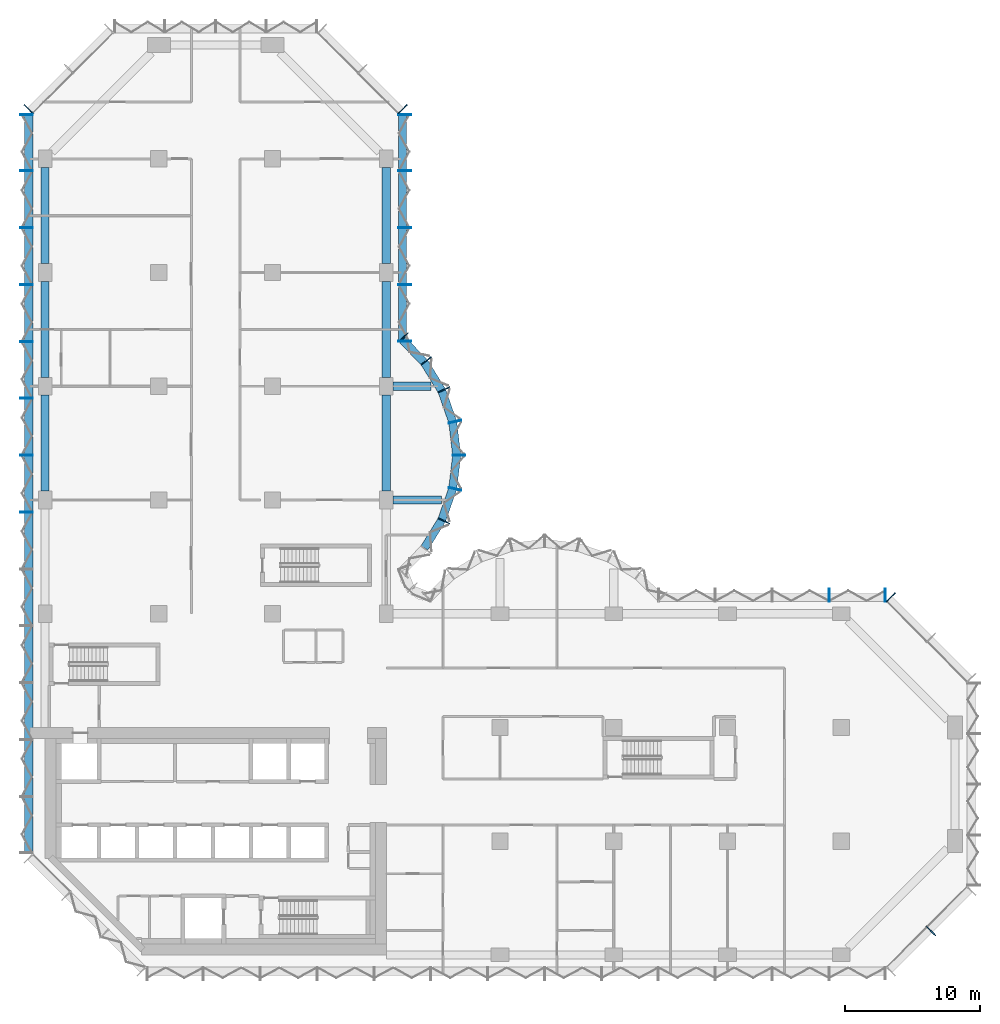
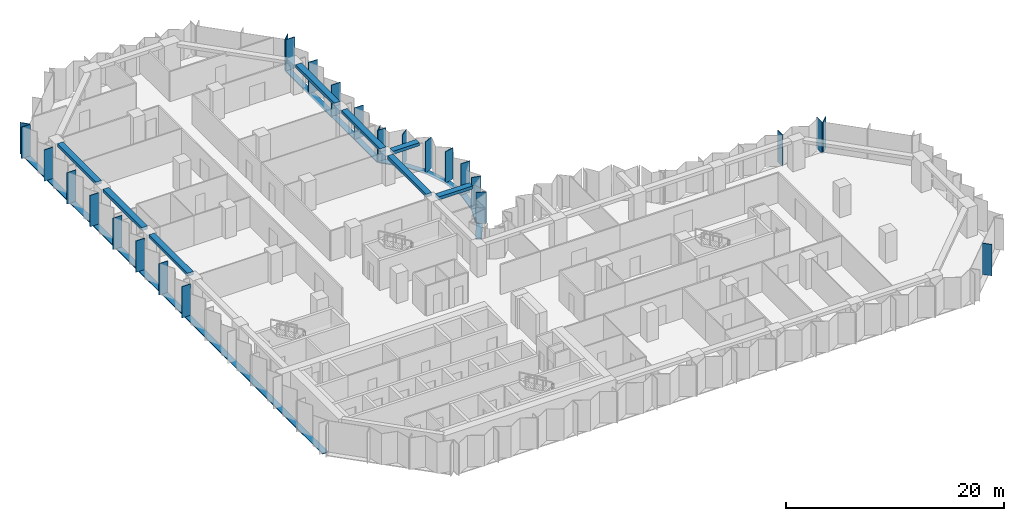
# One storey, part 3 of 13: 35 members, 8 beams, 8 elements without a shape of their own.
"""IFC4 building model written with IfcOpenShell, lengths in metres."""

from ifc_helpers import new_model, si_unit, direction, frame, origin, origin_2d, place, context, subcontext, project, spatial, rectangle, extrude, material, material_profile, profile_set, type_object, element, aggregate, save


model = new_model("IFC4")

# Units and contexts
model_context = context("Model", 3, precision=1e-05, world=origin(), true_north=direction((0.0, 1.0)))
body_context = subcontext(model_context, "Body", "Model", "MODEL_VIEW")
ifc_project = project(units=[si_unit("LENGTHUNIT", "METRE"), si_unit("AREAUNIT", "SQUARE_METRE"), si_unit("VOLUMEUNIT", "CUBIC_METRE"), si_unit("PLANEANGLEUNIT", "RADIAN"), si_unit("MASSUNIT", "GRAM", prefix="KILO")], contexts=[model_context])

# Site, building, storey
site_placement = place(None, origin())
site = spatial("IfcSite", under=ifc_project, at=site_placement, CompositionType="ELEMENT")
building_placement = place(site_placement, origin())
building = spatial("IfcBuilding", under=site, at=building_placement, Name="Brevane Broadcast Tower", CompositionType="ELEMENT")
storey_placement = place(building_placement, frame((0.0, 0.0, 102.5)))
storey = spatial("IfcBuildingStorey", under=building, at=storey_placement, Name="L24", CompositionType="ELEMENT", Elevation=102.5)

# Curtain wall, member
ifc_material_1 = material(Name="Aluminium 6063-T6 bronze anodised", Category="aluminium")
curtain_wall_type = type_object("IfcCurtainWallType", Name="CW-1 curtain wall", PredefinedType="NOTDEFINED", material=ifc_material_1)
curtain_wall_1_placement = place(storey_placement, origin())
curtain_wall_1 = element("IfcCurtainWall", 1, at=curtain_wall_1_placement, inside=storey, type_object=curtain_wall_type, Name="CW-1 typical tilted unit L24 south-east chamfer", PredefinedType="NOTDEFINED")
ifc_material_profile_1 = material_profile(ifc_material_1, rectangle(XDim=0.949951171875, YDim=0.070068359375, at=origin_2d()), Name="RECT 70x950")
ifc_profile_set_1 = profile_set([ifc_material_profile_1], Name="Aluminium 6063-T6 bronze anodised")
member_type_1 = type_object("IfcMemberType", Name="CW-1 mullion 70x950", PredefinedType="MULLION", material=ifc_profile_set_1)
member_1_placement = place(storey_placement, frame((65.435791015625, 1.76416015625, -0.14990234375), z_axis=(0.0, 0.0, 1.0), x_axis=(-0.707106781187, 0.707106781187, 0.0)))
member_1 = element("IfcMember", 2, at=member_1_placement, type_object=member_type_1, Name="CW-1 mullion", PredefinedType="MULLION", context=body_context, shape_type="SweptSolid", body=[
    extrude(rectangle(XDim=0.949951171875, YDim=0.070068359375, at=origin_2d()), origin(), (0.0, 0.0, 1.0), 3.5),
])
aggregate(curtain_wall_1, [member_1])

curtain_wall_2_placement = place(storey_placement, origin())
curtain_wall_2 = element("IfcCurtainWall", 3, at=curtain_wall_2_placement, inside=storey, type_object=curtain_wall_type, Name="CW-1 typical tilted unit L24 north-east chamfer", PredefinedType="NOTDEFINED")
member_2_placement = place(storey_placement, frame((62.460693359375, 26.4111328125, -0.14990234375), z_axis=(0.0, 0.0, 1.0), x_axis=(-0.707106781187, -0.707106781187, 0.0)))
member_2 = element("IfcMember", 4, at=member_2_placement, type_object=member_type_1, Name="CW-1 mullion", PredefinedType="MULLION", context=body_context, shape_type="SweptSolid", body=[
    extrude(rectangle(XDim=0.949951171875, YDim=0.070068359375, at=origin_2d()), origin(), (0.0, 0.0, 1.0), 3.5),
])
aggregate(curtain_wall_2, [member_2])

# Curtain wall, members
curtain_wall_3_placement = place(storey_placement, origin())
curtain_wall_3 = element("IfcCurtainWall", 5, at=curtain_wall_3_placement, inside=storey, type_object=curtain_wall_type, Name="CW-1 typical tilted unit L24 east arm north face", PredefinedType="NOTDEFINED")
member_3_placement = place(storey_placement, frame((62.06494140625, 26.574951171875, -0.14990234375), z_axis=(0.0, 0.0, 1.0), x_axis=(0.0, -1.0, 0.0)))
member_3 = element("IfcMember", 6, at=member_3_placement, type_object=member_type_1, Name="CW-1 mullion", PredefinedType="MULLION", context=body_context, shape_type="SweptSolid", body=[
    extrude(rectangle(XDim=0.949951171875, YDim=0.070068359375, at=origin_2d()), origin(), (0.0, 0.0, 1.0), 3.5),
])
member_4_placement = place(storey_placement, frame((57.89990234375, 26.574951171875, -0.14990234375), z_axis=(0.0, 0.0, 1.0), x_axis=(0.0, -1.0, 0.0)))
member_4 = element("IfcMember", 7, at=member_4_placement, type_object=member_type_1, Name="CW-1 mullion", PredefinedType="MULLION", context=body_context, shape_type="SweptSolid", body=[
    extrude(rectangle(XDim=0.949951171875, YDim=0.070068359375, at=origin_2d()), origin(), (0.0, 0.0, 1.0), 3.5),
])
aggregate(curtain_wall_3, [member_3, member_4])

curtain_wall_4_placement = place(storey_placement, origin())
curtain_wall_4 = element("IfcCurtainWall", 8, at=curtain_wall_4_placement, inside=storey, type_object=curtain_wall_type, Name="CW-1 typical tilted unit L24 north bow", PredefinedType="NOTDEFINED")
member_5_placement = place(storey_placement, frame((29.4580078125, 32.05322265625, -0.14990234375), z_axis=(0.0, 0.0, 1.0), x_axis=(-0.902860508933, 0.429933601163, 0.0)))
member_5 = element("IfcMember", 9, at=member_5_placement, type_object=member_type_1, Name="CW-1 mullion", PredefinedType="MULLION", context=body_context, shape_type="SweptSolid", body=[
    extrude(rectangle(XDim=0.949951171875, YDim=0.070068359375, at=origin_2d()), origin(), (0.0, 0.0, 1.0), 3.5),
])
member_6_placement = place(storey_placement, frame((30.28076171875, 34.411865234375, -0.14990234375), z_axis=(0.0, 0.0, 1.0), x_axis=(-0.974403430594, 0.224806482215, 0.0)))
member_6 = element("IfcMember", 10, at=member_6_placement, type_object=member_type_1, Name="CW-1 mullion", PredefinedType="MULLION", context=body_context, shape_type="SweptSolid", body=[
    extrude(rectangle(XDim=0.949951171875, YDim=0.070068359375, at=origin_2d()), origin(), (0.0, 0.0, 1.0), 3.5),
])
member_7_placement = place(storey_placement, frame((30.574951171875, 36.89990234375, -0.14990234375), z_axis=(0.0, 0.0, 1.0), x_axis=(-1.0, 0.0, 0.0)))
member_7 = element("IfcMember", 11, at=member_7_placement, type_object=member_type_1, Name="CW-1 mullion", PredefinedType="MULLION", context=body_context, shape_type="SweptSolid", body=[
    extrude(rectangle(XDim=0.949951171875, YDim=0.070068359375, at=origin_2d()), origin(), (0.0, 0.0, 1.0), 3.5),
])
member_8_placement = place(storey_placement, frame((30.28076171875, 39.38818359375, -0.14990234375), z_axis=(0.0, 0.0, 1.0), x_axis=(-0.974403430594, -0.224806482215, 0.0)))
member_8 = element("IfcMember", 12, at=member_8_placement, type_object=member_type_1, Name="CW-1 mullion", PredefinedType="MULLION", context=body_context, shape_type="SweptSolid", body=[
    extrude(rectangle(XDim=0.949951171875, YDim=0.070068359375, at=origin_2d()), origin(), (0.0, 0.0, 1.0), 3.5),
])
member_9_placement = place(storey_placement, frame((29.4580078125, 41.746826171875, -0.14990234375), z_axis=(0.0, 0.0, 1.0), x_axis=(-0.902860508933, -0.429933601163, 0.0)))
member_9 = element("IfcMember", 13, at=member_9_placement, type_object=member_type_1, Name="CW-1 mullion", PredefinedType="MULLION", context=body_context, shape_type="SweptSolid", body=[
    extrude(rectangle(XDim=0.949951171875, YDim=0.070068359375, at=origin_2d()), origin(), (0.0, 0.0, 1.0), 3.5),
])
member_10_placement = place(storey_placement, frame((28.1455078125, 43.8720703125, -0.14990234375), z_axis=(0.0, 0.0, 1.0), x_axis=(-0.788706642853, -0.614769738617, 0.0)))
member_10 = element("IfcMember", 14, at=member_10_placement, type_object=member_type_1, Name="CW-1 mullion", PredefinedType="MULLION", context=body_context, shape_type="SweptSolid", body=[
    extrude(rectangle(XDim=0.949951171875, YDim=0.070068359375, at=origin_2d()), origin(), (0.0, 0.0, 1.0), 3.5),
])
member_11_placement = place(storey_placement, frame((26.465087890625, 45.60595703125, -0.14990234375), z_axis=(0.0, 0.0, 1.0), x_axis=(-0.717253872699, -0.696811941702, 0.0)))
member_11 = element("IfcMember", 15, at=member_11_placement, type_object=member_type_1, Name="CW-1 mullion", PredefinedType="MULLION", context=body_context, shape_type="SweptSolid", body=[
    extrude(rectangle(XDim=0.949951171875, YDim=0.070068359375, at=origin_2d()), origin(), (0.0, 0.0, 1.0), 3.5),
])

curtain_wall_5_placement = place(storey_placement, origin())
curtain_wall_5 = element("IfcCurtainWall", 16, at=curtain_wall_5_placement, inside=storey, type_object=curtain_wall_type, Name="CW-1 typical tilted unit L24 north arm east face", PredefinedType="NOTDEFINED")
member_12_placement = place(storey_placement, frame((26.574951171875, 45.3349609375, -0.14990234375), z_axis=(0.0, 0.0, 1.0), x_axis=(-1.0, 0.0, 0.0)))
member_12 = element("IfcMember", 17, at=member_12_placement, type_object=member_type_1, Name="CW-1 mullion", PredefinedType="MULLION", context=body_context, shape_type="SweptSolid", body=[
    extrude(rectangle(XDim=0.949951171875, YDim=0.070068359375, at=origin_2d()), origin(), (0.0, 0.0, 1.0), 3.5),
])
member_13_placement = place(storey_placement, frame((26.574951171875, 49.5, -0.14990234375), z_axis=(0.0, 0.0, 1.0), x_axis=(-1.0, 0.0, 0.0)))
member_13 = element("IfcMember", 18, at=member_13_placement, type_object=member_type_1, Name="CW-1 mullion", PredefinedType="MULLION", context=body_context, shape_type="SweptSolid", body=[
    extrude(rectangle(XDim=0.949951171875, YDim=0.070068359375, at=origin_2d()), origin(), (0.0, 0.0, 1.0), 3.5),
])
member_14_placement = place(storey_placement, frame((26.574951171875, 53.699951171875, -0.14990234375), z_axis=(0.0, 0.0, 1.0), x_axis=(-1.0, 0.0, 0.0)))
member_14 = element("IfcMember", 19, at=member_14_placement, type_object=member_type_1, Name="CW-1 mullion", PredefinedType="MULLION", context=body_context, shape_type="SweptSolid", body=[
    extrude(rectangle(XDim=0.949951171875, YDim=0.070068359375, at=origin_2d()), origin(), (0.0, 0.0, 1.0), 3.5),
])
member_15_placement = place(storey_placement, frame((26.574951171875, 57.89990234375, -0.14990234375), z_axis=(0.0, 0.0, 1.0), x_axis=(-1.0, 0.0, 0.0)))
member_15 = element("IfcMember", 20, at=member_15_placement, type_object=member_type_1, Name="CW-1 mullion", PredefinedType="MULLION", context=body_context, shape_type="SweptSolid", body=[
    extrude(rectangle(XDim=0.949951171875, YDim=0.070068359375, at=origin_2d()), origin(), (0.0, 0.0, 1.0), 3.5),
])
member_16_placement = place(storey_placement, frame((26.574951171875, 62.06494140625, -0.14990234375), z_axis=(0.0, 0.0, 1.0), x_axis=(-1.0, 0.0, 0.0)))
member_16 = element("IfcMember", 21, at=member_16_placement, type_object=member_type_1, Name="CW-1 mullion", PredefinedType="MULLION", context=body_context, shape_type="SweptSolid", body=[
    extrude(rectangle(XDim=0.949951171875, YDim=0.070068359375, at=origin_2d()), origin(), (0.0, 0.0, 1.0), 3.5),
])

# Curtain wall, member
curtain_wall_6_placement = place(storey_placement, origin())
curtain_wall_6 = element("IfcCurtainWall", 22, at=curtain_wall_6_placement, inside=storey, type_object=curtain_wall_type, Name="CW-1 typical tilted unit L24 north arm north-east chamfer", PredefinedType="NOTDEFINED")
member_17_placement = place(storey_placement, frame((26.4111328125, 62.460693359375, -0.14990234375), z_axis=(0.0, 0.0, 1.0), x_axis=(-0.707106781187, -0.707106781187, 0.0)))
member_17 = element("IfcMember", 23, at=member_17_placement, type_object=member_type_1, Name="CW-1 mullion", PredefinedType="MULLION", context=body_context, shape_type="SweptSolid", body=[
    extrude(rectangle(XDim=0.949951171875, YDim=0.070068359375, at=origin_2d()), origin(), (0.0, 0.0, 1.0), 3.5),
])
aggregate(curtain_wall_6, [member_17])

curtain_wall_7_placement = place(storey_placement, origin())
curtain_wall_7 = element("IfcCurtainWall", 24, at=curtain_wall_7_placement, inside=storey, type_object=curtain_wall_type, Name="CW-1 typical tilted unit L24 north-west chamfer", PredefinedType="NOTDEFINED")
member_18_placement = place(storey_placement, frame((-1.211181640625, 62.460693359375, -0.14990234375), z_axis=(0.0, 0.0, 1.0), x_axis=(0.707106781187, -0.707106781187, 0.0)))
member_18 = element("IfcMember", 25, at=member_18_placement, type_object=member_type_1, Name="CW-1 mullion", PredefinedType="MULLION", context=body_context, shape_type="SweptSolid", body=[
    extrude(rectangle(XDim=0.949951171875, YDim=0.070068359375, at=origin_2d()), origin(), (0.0, 0.0, 1.0), 3.5),
])
aggregate(curtain_wall_7, [member_18])

# Curtain wall, members
curtain_wall_8_placement = place(storey_placement, origin())
curtain_wall_8 = element("IfcCurtainWall", 26, at=curtain_wall_8_placement, inside=storey, type_object=curtain_wall_type, Name="CW-1 typical tilted unit L24 west face", PredefinedType="NOTDEFINED")
member_19_placement = place(storey_placement, frame((-1.375, 62.06494140625, -0.14990234375), z_axis=(0.0, 0.0, 1.0), x_axis=(1.0, 0.0, 0.0)))
member_19 = element("IfcMember", 27, at=member_19_placement, type_object=member_type_1, Name="CW-1 mullion", PredefinedType="MULLION", context=body_context, shape_type="SweptSolid", body=[
    extrude(rectangle(XDim=0.949951171875, YDim=0.070068359375, at=origin_2d()), origin(), (0.0, 0.0, 1.0), 3.5),
])
member_20_placement = place(storey_placement, frame((-1.375, 57.89990234375, -0.14990234375), z_axis=(0.0, 0.0, 1.0), x_axis=(1.0, 0.0, 0.0)))
member_20 = element("IfcMember", 28, at=member_20_placement, type_object=member_type_1, Name="CW-1 mullion", PredefinedType="MULLION", context=body_context, shape_type="SweptSolid", body=[
    extrude(rectangle(XDim=0.949951171875, YDim=0.070068359375, at=origin_2d()), origin(), (0.0, 0.0, 1.0), 3.5),
])
member_21_placement = place(storey_placement, frame((-1.375, 53.699951171875, -0.14990234375), z_axis=(0.0, 0.0, 1.0), x_axis=(1.0, 0.0, 0.0)))
member_21 = element("IfcMember", 29, at=member_21_placement, type_object=member_type_1, Name="CW-1 mullion", PredefinedType="MULLION", context=body_context, shape_type="SweptSolid", body=[
    extrude(rectangle(XDim=0.949951171875, YDim=0.070068359375, at=origin_2d()), origin(), (0.0, 0.0, 1.0), 3.5),
])
member_22_placement = place(storey_placement, frame((-1.375, 49.5, -0.14990234375), z_axis=(0.0, 0.0, 1.0), x_axis=(1.0, 0.0, 0.0)))
member_22 = element("IfcMember", 30, at=member_22_placement, type_object=member_type_1, Name="CW-1 mullion", PredefinedType="MULLION", context=body_context, shape_type="SweptSolid", body=[
    extrude(rectangle(XDim=0.949951171875, YDim=0.070068359375, at=origin_2d()), origin(), (0.0, 0.0, 1.0), 3.5),
])
member_23_placement = place(storey_placement, frame((-1.375, 45.300048828125, -0.14990234375), z_axis=(0.0, 0.0, 1.0), x_axis=(1.0, 0.0, 0.0)))
member_23 = element("IfcMember", 31, at=member_23_placement, type_object=member_type_1, Name="CW-1 mullion", PredefinedType="MULLION", context=body_context, shape_type="SweptSolid", body=[
    extrude(rectangle(XDim=0.949951171875, YDim=0.070068359375, at=origin_2d()), origin(), (0.0, 0.0, 1.0), 3.5),
])
member_24_placement = place(storey_placement, frame((-1.375, 41.10009765625, -0.14990234375), z_axis=(0.0, 0.0, 1.0), x_axis=(1.0, 0.0, 0.0)))
member_24 = element("IfcMember", 32, at=member_24_placement, type_object=member_type_1, Name="CW-1 mullion", PredefinedType="MULLION", context=body_context, shape_type="SweptSolid", body=[
    extrude(rectangle(XDim=0.949951171875, YDim=0.070068359375, at=origin_2d()), origin(), (0.0, 0.0, 1.0), 3.5),
])
member_25_placement = place(storey_placement, frame((-1.375, 36.89990234375, -0.14990234375), z_axis=(0.0, 0.0, 1.0), x_axis=(1.0, 0.0, 0.0)))
member_25 = element("IfcMember", 33, at=member_25_placement, type_object=member_type_1, Name="CW-1 mullion", PredefinedType="MULLION", context=body_context, shape_type="SweptSolid", body=[
    extrude(rectangle(XDim=0.949951171875, YDim=0.070068359375, at=origin_2d()), origin(), (0.0, 0.0, 1.0), 3.5),
])
member_26_placement = place(storey_placement, frame((-1.375, 32.699951171875, -0.14990234375), z_axis=(0.0, 0.0, 1.0), x_axis=(1.0, 0.0, 0.0)))
member_26 = element("IfcMember", 34, at=member_26_placement, type_object=member_type_1, Name="CW-1 mullion", PredefinedType="MULLION", context=body_context, shape_type="SweptSolid", body=[
    extrude(rectangle(XDim=0.949951171875, YDim=0.070068359375, at=origin_2d()), origin(), (0.0, 0.0, 1.0), 3.5),
])

# Member
ifc_material_profile_2 = material_profile(ifc_material_1, rectangle(XDim=0.60009765625, YDim=0.10009765625, at=origin_2d()), Name="RECT 100x600")
ifc_profile_set_2 = profile_set([ifc_material_profile_2], Name="Aluminium 6063-T6 bronze anodised")
member_type_2 = type_object("IfcMemberType", Name="CW-1 transom 100x600", PredefinedType="USERDEFINED", material=ifc_profile_set_2)
member_27_placement = place(storey_placement, frame((28.023193359375, 30.0576171875, -0.199951171875), z_axis=(0.525427766759, 0.850838211365, 0.0), x_axis=(-0.850838211365, 0.525427766759, 0.0)))
member_27 = element("IfcMember", 35, at=member_27_placement, type_object=member_type_2, Name="CW-1 transom", ObjectType="TRANSOM", PredefinedType="USERDEFINED", context=body_context, shape_type="SweptSolid", body=[
    extrude(rectangle(XDim=0.60009765625, YDim=0.10009765625, at=origin_2d()), origin(), (0.0, 0.0, 1.0), 2.394775390625),
])

member_28_placement = place(storey_placement, frame((29.314208984375, 32.163818359375, -0.199951171875), z_axis=(0.329378497041, 0.944197969542, 0.0), x_axis=(-0.944197969542, 0.329378497041, 0.0)))
member_28 = element("IfcMember", 36, at=member_28_placement, type_object=member_type_2, Name="CW-1 transom", ObjectType="TRANSOM", PredefinedType="USERDEFINED", context=body_context, shape_type="SweptSolid", body=[
    extrude(rectangle(XDim=0.60009765625, YDim=0.10009765625, at=origin_2d()), origin(), (0.0, 0.0, 1.0), 2.394775390625),
])

member_29_placement = place(storey_placement, frame((30.117431640625, 34.499755859375, -0.199951171875), z_axis=(0.117603307202, 0.993060653805, 0.0), x_axis=(-0.993060653805, 0.117603307202, 0.0)))
member_29 = element("IfcMember", 37, at=member_29_placement, type_object=member_type_2, Name="CW-1 transom", ObjectType="TRANSOM", PredefinedType="USERDEFINED", context=body_context, shape_type="SweptSolid", body=[
    extrude(rectangle(XDim=0.60009765625, YDim=0.10009765625, at=origin_2d()), origin(), (0.0, 0.0, 1.0), 2.397705078125),
])

member_30_placement = place(storey_placement, frame((30.3994140625, 36.9189453125, -0.199951171875), z_axis=(-0.117591417, 0.993062061831, 0.0), x_axis=(-0.993062061831, -0.117591417, 0.0)))
member_30 = element("IfcMember", 38, at=member_30_placement, type_object=member_type_2, Name="CW-1 transom", ObjectType="TRANSOM", PredefinedType="USERDEFINED", context=body_context, shape_type="SweptSolid", body=[
    extrude(rectangle(XDim=0.60009765625, YDim=0.10009765625, at=origin_2d()), origin(), (0.0, 0.0, 1.0), 2.39794921875),
])

member_31_placement = place(storey_placement, frame((30.10302734375, 39.375, -0.199951171875), z_axis=(-0.329378497041, 0.944197969542, 0.0), x_axis=(-0.944197969542, -0.329378497041, 0.0)))
member_31 = element("IfcMember", 39, at=member_31_placement, type_object=member_type_2, Name="CW-1 transom", ObjectType="TRANSOM", PredefinedType="USERDEFINED", context=body_context, shape_type="SweptSolid", body=[
    extrude(rectangle(XDim=0.60009765625, YDim=0.10009765625, at=origin_2d()), origin(), (0.0, 0.0, 1.0), 2.394775390625),
])

member_32_placement = place(storey_placement, frame((29.281494140625, 41.704833984375, -0.199951171875), z_axis=(-0.525473345162, 0.850810063131, 0.0), x_axis=(-0.850810063131, -0.525473345162, 0.0)))
member_32 = element("IfcMember", 40, at=member_32_placement, type_object=member_type_2, Name="CW-1 transom", ObjectType="TRANSOM", PredefinedType="USERDEFINED", context=body_context, shape_type="SweptSolid", body=[
    extrude(rectangle(XDim=0.60009765625, YDim=0.10009765625, at=origin_2d()), origin(), (0.0, 0.0, 1.0), 2.39453125),
])

member_33_placement = place(storey_placement, frame((27.974365234375, 43.800537109375, -0.199951171875), z_axis=(-0.696823999134, 0.71724215871, 0.0), x_axis=(-0.71724215871, -0.696823999134, 0.0)))
member_33 = element("IfcMember", 41, at=member_33_placement, type_object=member_type_2, Name="CW-1 transom", ObjectType="TRANSOM", PredefinedType="USERDEFINED", context=body_context, shape_type="SweptSolid", body=[
    extrude(rectangle(XDim=0.60009765625, YDim=0.10009765625, at=origin_2d()), origin(), (0.0, 0.0, 1.0), 2.247802734375),
])

aggregate(curtain_wall_4, [member_5, member_6, member_7, member_8, member_9, member_10, member_11, member_27, member_28, member_29, member_30, member_31, member_32, member_33])

member_34_placement = place(storey_placement, frame((26.39990234375, 45.300048828125, -0.199951171875), z_axis=(0.0, 1.0, 0.0), x_axis=(-1.0, 0.0, 0.0)))
member_34 = element("IfcMember", 42, at=member_34_placement, type_object=member_type_2, Name="CW-1 transom", ObjectType="TRANSOM", PredefinedType="USERDEFINED", context=body_context, shape_type="SweptSolid", body=[
    extrude(rectangle(XDim=0.60009765625, YDim=0.10009765625, at=origin_2d()), origin(), (0.0, 0.0, 1.0), 16.800048828125),
])

aggregate(curtain_wall_5, [member_12, member_13, member_14, member_15, member_16, member_34])

member_35_placement = place(storey_placement, frame((-1.199951171875, 62.10009765625, -0.199951171875), z_axis=(0.0, -1.0, 0.0), x_axis=(1.0, 0.0, 0.0)))
member_35 = element("IfcMember", 43, at=member_35_placement, type_object=member_type_2, Name="CW-1 transom", ObjectType="TRANSOM", PredefinedType="USERDEFINED", context=body_context, shape_type="SweptSolid", body=[
    extrude(rectangle(XDim=0.60009765625, YDim=0.10009765625, at=origin_2d()), origin(), (0.0, 0.0, 1.0), 54.60009765625),
])

aggregate(curtain_wall_8, [member_19, member_20, member_21, member_22, member_23, member_24, member_25, member_26, member_35])

# Beams
ifc_material_2 = material(Name="Concrete C40/50", Category="concrete")
ifc_material_profile_3 = material_profile(ifc_material_2, rectangle(XDim=0.60009765625, YDim=0.35009765625, at=origin_2d()), Name="RC 600x350")
ifc_profile_set_3 = profile_set([ifc_material_profile_3], Name="Concrete C40/50")
beam_type_1 = type_object("IfcBeamType", Name="RC BRACKET BEAM 600x350 C40/50", PredefinedType="BEAM", material=ifc_profile_set_3)
beam_1_placement = place(storey_placement, frame((25.699951171875, 33.60009765625, 3.175048828125), z_axis=(1.0, 0.0, 0.0), x_axis=(0.0, 1.0, 0.0)))
element("IfcBeam", 44, at=beam_1_placement, inside=storey, type_object=beam_type_1, Name="EB2 L24-1", PredefinedType="BEAM", context=body_context, shape_type="SweptSolid", body=[
    extrude(rectangle(XDim=0.60009765625, YDim=0.35009765625, at=origin_2d()), origin(), (0.0, 0.0, 1.0), 3.56201171875),
])
beam_2_placement = place(storey_placement, frame((25.699951171875, 42.0, 3.175048828125), z_axis=(1.0, 0.0, 0.0), x_axis=(0.0, 1.0, 0.0)))
element("IfcBeam", 45, at=beam_2_placement, inside=storey, type_object=beam_type_1, Name="EB2 L24-2", PredefinedType="BEAM", context=body_context, shape_type="SweptSolid", body=[
    extrude(rectangle(XDim=0.60009765625, YDim=0.35009765625, at=origin_2d()), origin(), (0.0, 0.0, 1.0), 2.8115234375),
])
ifc_material_profile_4 = material_profile(ifc_material_2, rectangle(XDim=0.60009765625, YDim=0.35009765625, at=origin_2d()), Name="RC 600x350")
ifc_profile_set_4 = profile_set([ifc_material_profile_4], Name="Concrete C40/50")
beam_type_2 = type_object("IfcBeamType", Name="RC SPANDREL BEAM 600x350 C40/50", PredefinedType="SPANDREL", material=ifc_profile_set_4)
for number, where, z_axis, x_axis, name in (
    (46, (25.199951171875, 34.25, 3.175048828125), (0.0, 1.0, 0.0), (-1.0, 0.0, 0.0), "EB1 L24-13"),
    (47, (25.199951171875, 42.64990234375, 3.175048828125), (0.0, 1.0, 0.0), (-1.0, 0.0, 0.0), "EB1 L24-14"),
):
    element("IfcBeam", number, at=place(storey_placement, frame(where, z_axis=z_axis, x_axis=x_axis)), inside=storey, type_object=beam_type_2, Name=name, PredefinedType="SPANDREL", context=body_context, shape_type="SweptSolid", body=[
        extrude(rectangle(XDim=0.60009765625, YDim=0.35009765625, at=origin_2d()), origin(), (0.0, 0.0, 1.0), 7.10009765625),
    ])
for number, where, z_axis, x_axis, name in (
    (48, (25.199951171875, 51.050048828125, 3.175048828125), (0.0, 1.0, 0.0), (-1.0, 0.0, 0.0), "EB1 L24-15"),
    (49, (0.0, 58.14990234375, 3.175048828125), (0.0, -1.0, 0.0), (1.0, 0.0, 0.0), "EB1 L24-19"),
):
    element("IfcBeam", number, at=place(storey_placement, frame(where, z_axis=z_axis, x_axis=x_axis)), inside=storey, type_object=beam_type_2, Name=name, PredefinedType="SPANDREL", context=body_context, shape_type="SweptSolid", body=[
        extrude(rectangle(XDim=0.60009765625, YDim=0.35009765625, at=origin_2d()), origin(), (0.0, 0.0, 1.0), 7.099853515625),
    ])
for number, where, z_axis, x_axis, name in (
    (50, (0.0, 49.75, 3.175048828125), (0.0, -1.0, 0.0), (1.0, 0.0, 0.0), "EB1 L24-20"),
    (51, (0.0, 41.35009765625, 3.175048828125), (0.0, -1.0, 0.0), (1.0, 0.0, 0.0), "EB1 L24-21"),
):
    element("IfcBeam", number, at=place(storey_placement, frame(where, z_axis=z_axis, x_axis=x_axis)), inside=storey, type_object=beam_type_2, Name=name, PredefinedType="SPANDREL", context=body_context, shape_type="SweptSolid", body=[
        extrude(rectangle(XDim=0.60009765625, YDim=0.35009765625, at=origin_2d()), origin(), (0.0, 0.0, 1.0), 7.10009765625),
    ])

save(model, "model.ifc")
